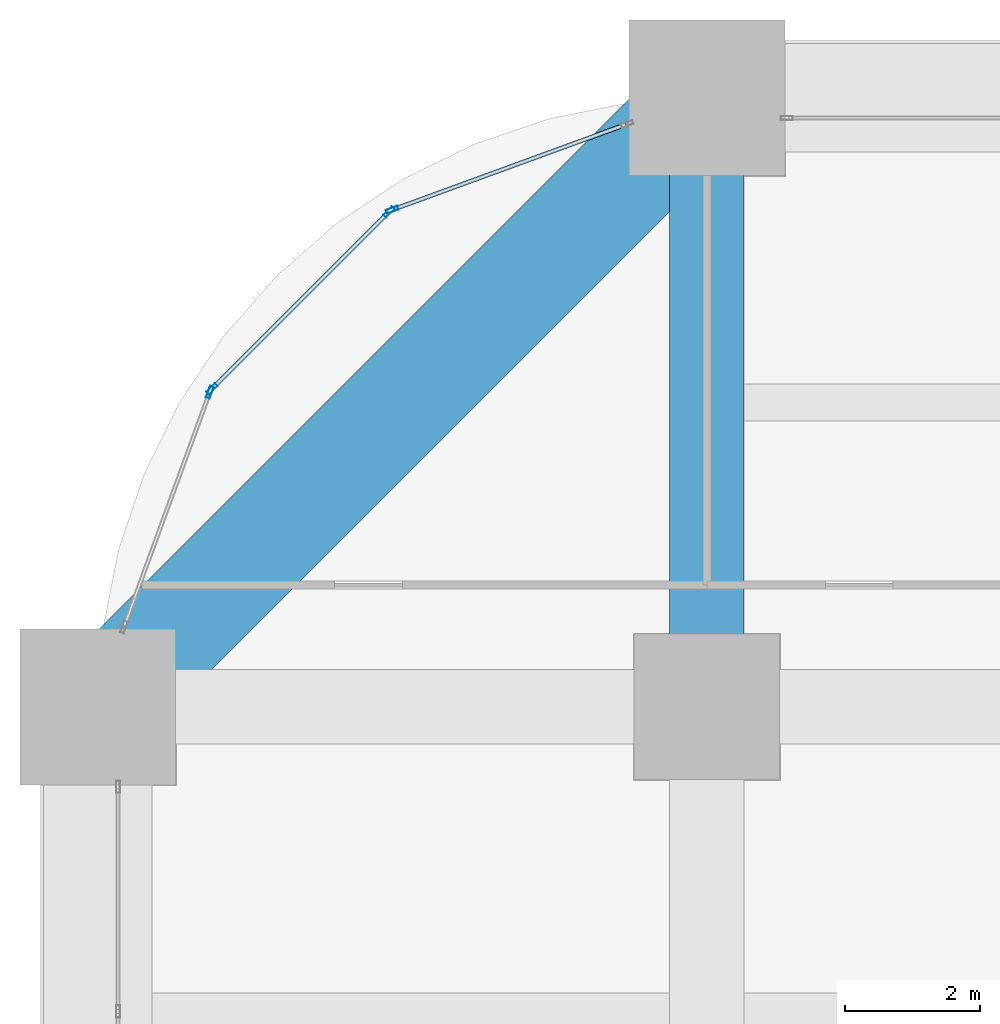
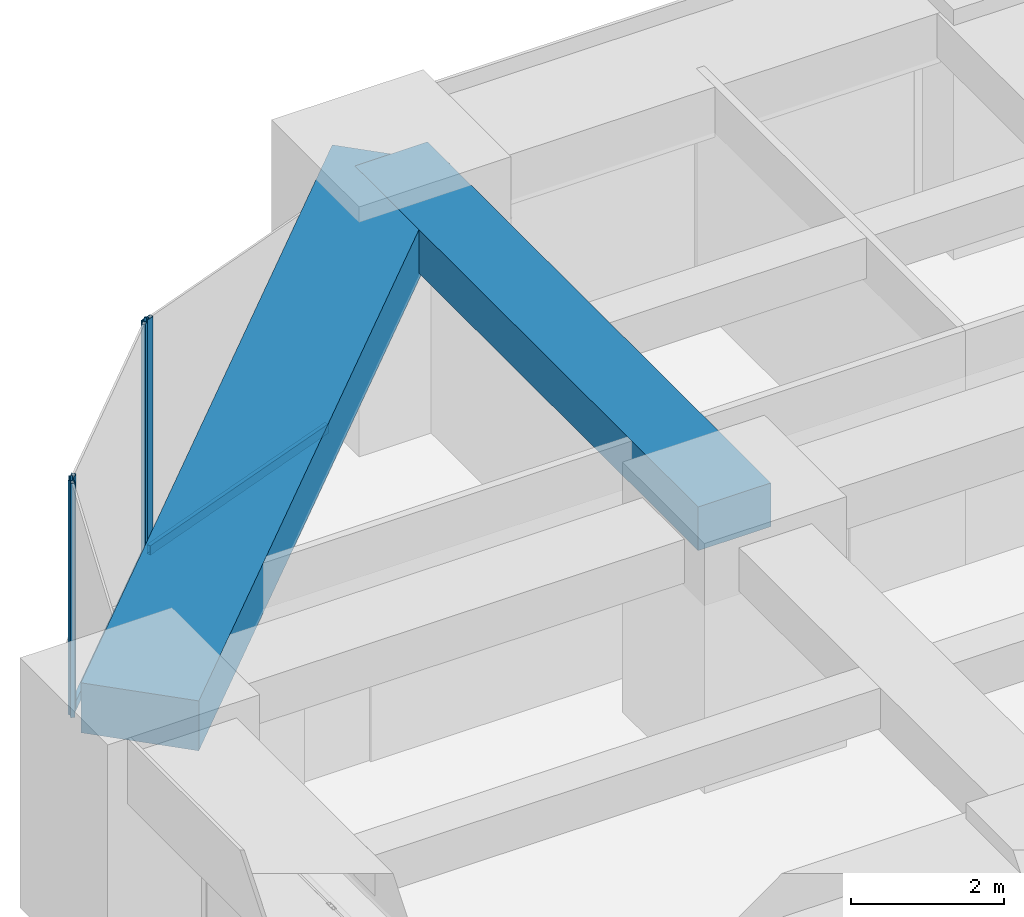
# One storey, part 27 of 44: 6 members, 2 beams, 3 elements without a shape of their own.
"""IFC4 building model written with IfcOpenShell, lengths in metres."""

import ifcopenshell
import ifcopenshell.guid

model = None  # the IFC model being written
_history = None  # IfcOwnerHistory: only IFC2X3 demands one
_inside = {}  # id of a spatial element -> (the spatial element, [elements in it])
_under = {}  # id of a project, library or spatial element -> (it, [spatial elements below it])
_declared = {}  # id of a project -> (the project, [libraries it declares])
_typed = {}  # id of a type object -> (the type object, [elements of that type])
_made_of = {}  # id of a material, layer set ... -> (it, [elements and type objects made of it])


def new_model(schema):
    """Start an empty IFC model of exactly this schema.

    Asked for "IFC4X3", IfcOpenShell would pick the latest addendum, in which some entities
    have other attributes; the version numbers below select the first issue.
    IFC2X3 requires an IfcOwnerHistory on every rooted entity: one is made here for all.
    """
    global model, _history
    if schema == "IFC4X3":
        model = ifcopenshell.file(schema_version=(4, 3, 0, 0))
    else:
        model = ifcopenshell.file(schema=schema)
    _inside.clear()
    _under.clear()
    _declared.clear()
    _typed.clear()
    _made_of.clear()
    _history = None
    if model.schema == "IFC2X3":
        org = make("IfcOrganization", Name="unknown")
        user = make(
            "IfcPersonAndOrganization",
            ThePerson=make("IfcPerson", FamilyName="unknown"),
            TheOrganization=org,
        )
        app = make(
            "IfcApplication",
            ApplicationDeveloper=org,
            Version="unknown",
            ApplicationFullName="unknown",
            ApplicationIdentifier="unknown",
        )
        _history = make(
            "IfcOwnerHistory",
            OwningUser=user,
            OwningApplication=app,
            ChangeAction="ADDED",
            CreationDate=0,
        )
    return model


def make(cls, **values):
    """One entity of the class cls with the attributes given. An attribute that is None is left unset."""
    return model.create_entity(
        cls, **{name: value for name, value in values.items() if value is not None}
    )


def rooted(cls, **values):
    """An entity with a GlobalId (a new one), such as an element, a storey or a relation."""
    return make(cls, GlobalId=ifcopenshell.guid.new(), OwnerHistory=_history, **values)


def si_unit(unit_type, name, prefix=None):
    """IfcSIUnit, for example si_unit("LENGTHUNIT", "METRE", prefix="MILLI")."""
    return make("IfcSIUnit", UnitType=unit_type, Prefix=prefix, Name=name)


def assignment(units):
    """IfcUnitAssignment: the units of a project."""
    return None if units is None else make("IfcUnitAssignment", Units=units)


def point(xyz):
    """IfcCartesianPoint."""
    return None if xyz is None else make("IfcCartesianPoint", Coordinates=xyz)


def direction(xyz):
    """IfcDirection."""
    return None if xyz is None else make("IfcDirection", DirectionRatios=xyz)


def frame(location, z_axis=None, x_axis=None):
    """IfcAxis2Placement3D, a coordinate frame: its origin and axes. An axis left out is left unset."""
    return make(
        "IfcAxis2Placement3D",
        Location=point(location),
        Axis=direction(z_axis),
        RefDirection=direction(x_axis),
    )


def frame_2d(location, x_axis=None):
    """IfcAxis2Placement2D, a coordinate frame in the plane: its origin and x axis."""
    return make(
        "IfcAxis2Placement2D", Location=point(location), RefDirection=direction(x_axis)
    )


def origin():
    """The frame at (0, 0, 0) with its axes left unset."""
    return frame((0.0, 0.0, 0.0))


def origin_2d():
    """The frame at (0, 0) in the plane with its x axis left unset."""
    return frame_2d((0.0, 0.0))


def place(relative_to, where):
    """IfcLocalPlacement: puts the frame where relative to a parent placement (None: the world)."""
    return make(
        "IfcLocalPlacement", PlacementRelTo=relative_to, RelativePlacement=where
    )


def context(
    kind, dimensions, precision=None, world=None, true_north=None, identifier=None
):
    """IfcGeometricRepresentationContext, for example the 3D "Model" context."""
    return make(
        "IfcGeometricRepresentationContext",
        ContextIdentifier=identifier,
        ContextType=kind,
        CoordinateSpaceDimension=dimensions,
        Precision=precision,
        WorldCoordinateSystem=world,
        TrueNorth=true_north,
    )


def subcontext(parent, identifier, kind, view, scale=None):
    """IfcGeometricRepresentationSubContext, for example "Body" below "Model"."""
    return make(
        "IfcGeometricRepresentationSubContext",
        ContextIdentifier=identifier,
        ContextType=kind,
        ParentContext=parent,
        TargetScale=scale,
        TargetView=view,
    )


def project(units=None, contexts=None):
    """IfcProject with its units and contexts."""
    return rooted(
        "IfcProject",
        Name="project",
        RepresentationContexts=contexts,
        UnitsInContext=assignment(units),
    )


def spatial(cls, under=None, at=None, **own):
    """A site, building, storey or space (cls), placed at a placement, below another one or the project."""
    s = rooted(cls, ObjectPlacement=at, **own)
    if under is not None:
        _under.setdefault(under.id(), (under, []))[1].append(s)
    return s


def profile(cls, at=None, kind="AREA", **sizes):
    """A parametric profile (cls). Its sizes go by their IFC names, for example OverallWidth=200.0."""
    return make(cls, ProfileType=kind, Position=at, **sizes)


def rectangle(**sizes):
    """IfcRectangleProfileDef."""
    return profile("IfcRectangleProfileDef", **sizes)


def hollow_rectangle(**sizes):
    """IfcRectangleHollowProfileDef."""
    return profile("IfcRectangleHollowProfileDef", **sizes)


def extrude(swept, where, along, depth):
    """IfcExtrudedAreaSolid: the profile swept, set in the frame where, extruded along a direction by depth."""
    return make(
        "IfcExtrudedAreaSolid",
        SweptArea=swept,
        Position=where,
        ExtrudedDirection=direction(along),
        Depth=depth,
    )


def shape(context_of_items, identifier, shape_type, items):
    """IfcShapeRepresentation: the items that make up one representation, for example the "Body"."""
    return make(
        "IfcShapeRepresentation",
        ContextOfItems=context_of_items,
        RepresentationIdentifier=identifier,
        RepresentationType=shape_type,
        Items=items,
    )


def material(Name=None, Category=None):
    """IfcMaterial."""
    return make("IfcMaterial", Name=Name, Category=Category)


def material_profile(
    of_material, cross_section, Name=None, Category=None, Priority=None
):
    """IfcMaterialProfile: a cross section and its material."""
    return make(
        "IfcMaterialProfile",
        Name=Name,
        Material=of_material,
        Profile=cross_section,
        Priority=Priority,
        Category=Category,
    )


def profile_set(profiles, Name=None, composite=None):
    """IfcMaterialProfileSet."""
    return make(
        "IfcMaterialProfileSet",
        Name=Name,
        MaterialProfiles=profiles,
        CompositeProfile=composite,
    )


def made_of(thing, what):
    """Note that an element or type object is made of a material, layer set ...; save() writes the relation."""
    if what is not None:
        _made_of.setdefault(what.id(), (what, []))[1].append(thing)
    return thing


def type_object(cls, material=None, **own):
    """A type object (cls), such as IfcWallType, which elements share."""
    return made_of(rooted(cls, **own), material)


def element(
    cls,
    number,
    at=None,
    inside=None,
    cuts=None,
    type_object=None,
    material=None,
    context=None,
    identifier="Body",
    shape_type=None,
    held_by="IfcProductDefinitionShape",
    body=None,
    shapes=None,
    **own,
):
    """One element of the class cls, such as IfcWall. Its Tag is "e" and its number.

    at: its placement. inside: the storey or other place that contains it. cuts: it is an
    opening in that element (IfcRelVoidsElement). A single representation is given by context,
    identifier, shape_type and body (its items); several are given by shapes. held_by: the class
    of the entity that holds the representations. save() writes the other relations.
    """
    e = rooted(cls, Tag="e%d" % number, ObjectPlacement=at, **own)
    if body is not None:
        shapes = [shape(context, identifier, shape_type, body)]
    if shapes is not None:
        e.Representation = make(held_by, Representations=shapes)
    if inside is not None:
        _inside.setdefault(inside.id(), (inside, []))[1].append(e)
    if cuts is not None:
        rooted(
            "IfcRelVoidsElement", RelatingBuildingElement=cuts, RelatedOpeningElement=e
        )
    if type_object is not None:
        _typed.setdefault(type_object.id(), (type_object, []))[1].append(e)
    return made_of(e, material)


def aggregate(whole, parts):
    """IfcRelAggregates: a whole, such as a stair, and the parts it consists of."""
    return rooted("IfcRelAggregates", RelatingObject=whole, RelatedObjects=parts)


def save(model, path):
    """Write the relations noted so far, then the file.

    IfcRelAggregates (storeys below a building ...), IfcRelContainedInSpatialStructure (elements
    in a storey), IfcRelDefinesByType, IfcRelAssociatesMaterial and IfcRelDeclares: one each for
    every whole, place, type object, material and project.
    """
    for whole, parts in _under.values():
        aggregate(whole, parts)
    for where, things in _inside.values():
        rooted(
            "IfcRelContainedInSpatialStructure",
            RelatedElements=things,
            RelatingStructure=where,
        )
    for kind, things in _typed.values():
        rooted("IfcRelDefinesByType", RelatedObjects=things, RelatingType=kind)
    for what, things in _made_of.values():
        rooted("IfcRelAssociatesMaterial", RelatedObjects=things, RelatingMaterial=what)
    for by, libraries in _declared.values():
        rooted("IfcRelDeclares", RelatingContext=by, RelatedDefinitions=libraries)
    model.write(path)


model = new_model("IFC4")

# Units and contexts
model_context = context("Model", 3, precision=1e-05, world=origin(), true_north=direction((0.0, 1.0)))
body_context = subcontext(model_context, "Body", "Model", "MODEL_VIEW")
ifc_project = project(units=[si_unit("LENGTHUNIT", "METRE"), si_unit("AREAUNIT", "SQUARE_METRE"), si_unit("VOLUMEUNIT", "CUBIC_METRE"), si_unit("PLANEANGLEUNIT", "RADIAN"), si_unit("MASSUNIT", "GRAM", prefix="KILO")], contexts=[model_context])

# Site, building, storey
site_placement = place(None, origin())
site = spatial("IfcSite", under=ifc_project, at=site_placement, CompositionType="ELEMENT")
building_placement = place(site_placement, origin())
building = spatial("IfcBuilding", under=site, at=building_placement, Name="Zorevar Civic Tower", CompositionType="ELEMENT")
storey_placement = place(building_placement, frame((0.0, 0.0, 63.800048828125)))
storey = spatial("IfcBuildingStorey", under=building, at=storey_placement, Name="L15", CompositionType="ELEMENT", Elevation=63.800048828125)

# Beam
ifc_material_1 = material(Name="Concrete C50/60", Category="concrete")
ifc_material_profile_1 = material_profile(ifc_material_1, rectangle(XDim=1.10009765625, YDim=0.699951171875, at=origin_2d()), Name="RC 1100x700")
ifc_profile_set_1 = profile_set([ifc_material_profile_1], Name="Concrete C50/60")
beam_type_1 = type_object("IfcBeamType", Name="Beam RC 1100x700", PredefinedType="BEAM", material=ifc_profile_set_1)
beam_1_placement = place(storey_placement, frame((9.0, 45.0, 3.39990234375), z_axis=(0.0, 1.0, 0.0), x_axis=(-1.0, 0.0, 0.0)))
element("IfcBeam", 1, at=beam_1_placement, inside=storey, type_object=beam_type_1, Name="Girder L16", PredefinedType="BEAM", context=body_context, shape_type="SweptSolid", body=[
    extrude(rectangle(XDim=1.10009765625, YDim=0.699951171875, at=origin_2d()), origin(), (0.0, 0.0, 1.0), 9.0),
])

# Curtain wall, member
ifc_material_2 = material(Name="Dark grey solar-control glass in black aluminium frame", Category="aluminium")
curtain_wall_type = type_object("IfcCurtainWallType", Name="Curtain wall CW2 low zone", PredefinedType="NOTDEFINED", material=ifc_material_2)
curtain_wall_1_placement = place(storey_placement, origin())
curtain_wall_1 = element("IfcCurtainWall", 2, at=curtain_wall_1_placement, inside=storey, type_object=curtain_wall_type, Name="CW2 L15", PredefinedType="NOTDEFINED")
ifc_material_3 = material(Name="Aluminium, black anodised", Category="aluminium")
ifc_material_profile_2 = material_profile(ifc_material_3, hollow_rectangle(XDim=0.06005859375, YDim=0.179931640625, WallThickness=0.00390625, at=origin_2d()), Name="AL 180x60x4")
ifc_profile_set_2 = profile_set([ifc_material_profile_2], Name="Aluminium, black anodised")
member_type_1 = type_object("IfcMemberType", Name="CW2 mullion AL 180x60x4", PredefinedType="MULLION", material=ifc_profile_set_2)
member_1_placement = place(storey_placement, frame((4.349609375, 52.34521484375, 0.0), z_axis=(0.0, 0.0, 1.0), x_axis=(0.343060400701, -0.939313345732, 0.0)))
member_1 = element("IfcMember", 3, at=member_1_placement, type_object=member_type_1, Name="CW2 mullion 2", PredefinedType="MULLION", context=body_context, shape_type="SweptSolid", body=[
    extrude(hollow_rectangle(XDim=0.06005859375, YDim=0.179931640625, WallThickness=0.00390625, at=origin_2d()), origin(), (0.0, 0.0, 1.0), 3.75),
])

# Curtain wall, members
curtain_wall_2_placement = place(storey_placement, origin())
curtain_wall_2 = element("IfcCurtainWall", 4, at=curtain_wall_2_placement, inside=storey, type_object=curtain_wall_type, Name="CW2 L15", PredefinedType="NOTDEFINED")
member_2_placement = place(storey_placement, frame((4.30029296875, 52.313720703125, 0.0), z_axis=(0.0, 0.0, 1.0), x_axis=(0.707106781187, -0.707106781187, 0.0)))
member_2 = element("IfcMember", 5, at=member_2_placement, type_object=member_type_1, Name="CW2 mullion 1", PredefinedType="MULLION", context=body_context, shape_type="SweptSolid", body=[
    extrude(hollow_rectangle(XDim=0.06005859375, YDim=0.179931640625, WallThickness=0.00390625, at=origin_2d()), origin(), (0.0, 0.0, 1.0), 3.75),
])
member_3_placement = place(storey_placement, frame((1.686279296875, 49.69970703125, 0.0), z_axis=(0.0, 0.0, 1.0), x_axis=(0.707106781187, -0.707106781187, 0.0)))
member_3 = element("IfcMember", 6, at=member_3_placement, type_object=member_type_1, Name="CW2 mullion 2", PredefinedType="MULLION", context=body_context, shape_type="SweptSolid", body=[
    extrude(hollow_rectangle(XDim=0.06005859375, YDim=0.179931640625, WallThickness=0.00390625, at=origin_2d()), origin(), (0.0, 0.0, 1.0), 3.75),
])

# Curtain wall, member
curtain_wall_3_placement = place(storey_placement, origin())
curtain_wall_3 = element("IfcCurtainWall", 7, at=curtain_wall_3_placement, inside=storey, type_object=curtain_wall_type, Name="CW2 L15", PredefinedType="NOTDEFINED")
member_4_placement = place(storey_placement, frame((1.65478515625, 49.650390625, 0.0), z_axis=(0.0, 0.0, 1.0), x_axis=(0.939313345732, -0.343060400701, 0.0)))
member_4 = element("IfcMember", 8, at=member_4_placement, type_object=member_type_1, Name="CW2 mullion 1", PredefinedType="MULLION", context=body_context, shape_type="SweptSolid", body=[
    extrude(hollow_rectangle(XDim=0.06005859375, YDim=0.179931640625, WallThickness=0.00390625, at=origin_2d()), origin(), (0.0, 0.0, 1.0), 3.75),
])
aggregate(curtain_wall_3, [member_4])

# Member
ifc_material_4 = material(Name="Aluminium, black anodised", Category="aluminium")
ifc_material_profile_3 = material_profile(ifc_material_4, hollow_rectangle(XDim=0.06005859375, YDim=0.14990234375, WallThickness=0.00390625, at=origin_2d()), Name="AL 150x60x4")
ifc_profile_set_3 = profile_set([ifc_material_profile_3], Name="Aluminium, black anodised")
member_type_2 = type_object("IfcMemberType", Name="CW2 transom AL 150x60x4", PredefinedType="USERDEFINED", material=ifc_profile_set_3)
member_5_placement = place(storey_placement, frame((7.793701171875, 53.60302734375, 0.030029296875), z_axis=(-0.939318180432, -0.343047162808, 0.0), x_axis=(0.343047162808, -0.939318180432, 0.0)))
member_5 = element("IfcMember", 9, at=member_5_placement, type_object=member_type_2, Name="CW2 sill transom", ObjectType="TRANSOM", PredefinedType="USERDEFINED", context=body_context, shape_type="SweptSolid", body=[
    extrude(hollow_rectangle(XDim=0.06005859375, YDim=0.14990234375, WallThickness=0.00390625, at=origin_2d()), origin(), (0.0, 0.0, 1.0), 3.63671875),
])

aggregate(curtain_wall_1, [member_1, member_5])

member_6_placement = place(storey_placement, frame((4.279052734375, 52.29248046875, 0.030029296875), z_axis=(-0.707106781187, -0.707106781187, 0.0), x_axis=(0.707106781187, -0.707106781187, 0.0)))
member_6 = element("IfcMember", 10, at=member_6_placement, type_object=member_type_2, Name="CW2 sill transom", ObjectType="TRANSOM", PredefinedType="USERDEFINED", context=body_context, shape_type="SweptSolid", body=[
    extrude(hollow_rectangle(XDim=0.06005859375, YDim=0.14990234375, WallThickness=0.00390625, at=origin_2d()), origin(), (0.0, 0.0, 1.0), 3.63671875),
])

aggregate(curtain_wall_2, [member_2, member_3, member_6])

# Beam
ifc_material_5 = material(Name="Concrete C50/60", Category="concrete")
ifc_material_profile_4 = material_profile(ifc_material_5, rectangle(XDim=1.60009765625, YDim=0.800048828125, at=origin_2d()), Name="RC 1600x800")
ifc_profile_set_4 = profile_set([ifc_material_profile_4], Name="Concrete C50/60")
beam_type_2 = type_object("IfcBeamType", Name="Edge beam RC 1600x800", PredefinedType="SPANDREL", material=ifc_profile_set_4)
beam_2_placement = place(storey_placement, frame((9.0, 54.0, 3.349853515625), z_axis=(-0.707106781187, -0.707106781187, 0.0), x_axis=(0.707106781187, -0.707106781187, 0.0)))
element("IfcBeam", 11, at=beam_2_placement, inside=storey, type_object=beam_type_2, Name="Corner edge beam L16", PredefinedType="SPANDREL", context=body_context, shape_type="SweptSolid", body=[
    extrude(rectangle(XDim=1.60009765625, YDim=0.800048828125, at=origin_2d()), origin(), (0.0, 0.0, 1.0), 12.72802734375),
])

save(model, "model.ifc")
